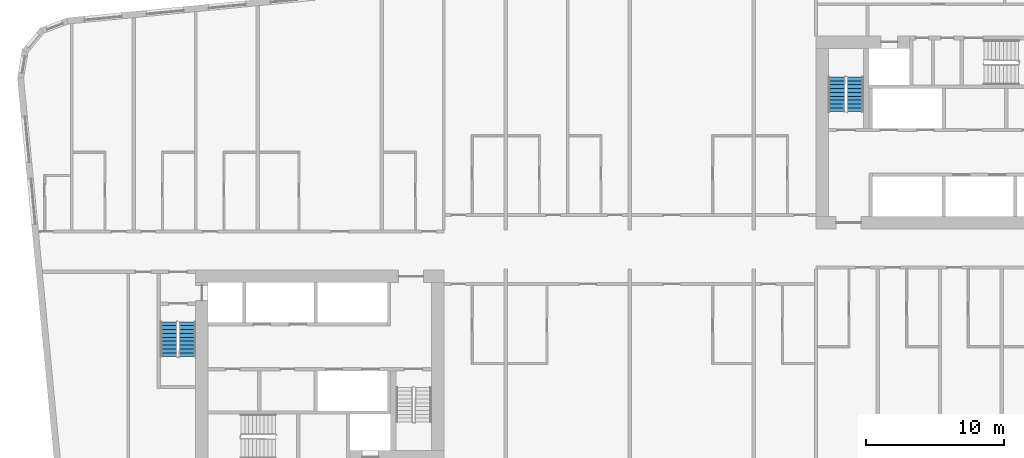
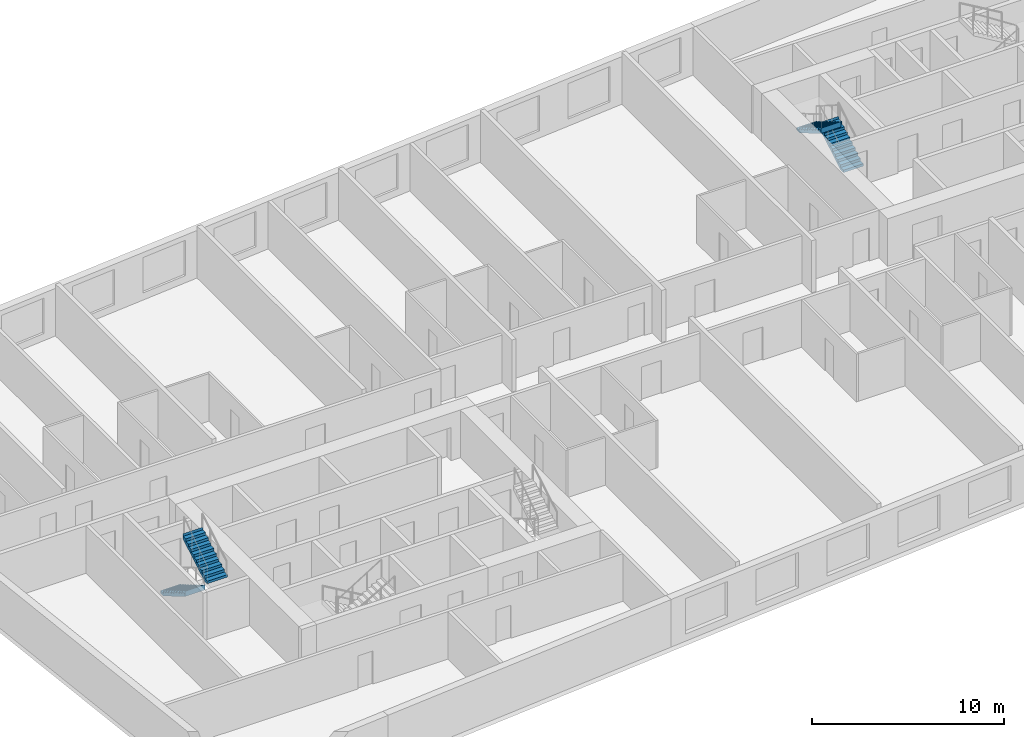
# One storey, part 10 of 12: 4 stair flights, 2 elements without a shape of their own.
"""IFC4 building model written with IfcOpenShell, lengths in metres."""

from ifc_helpers import new_model, si_unit, direction, frame, origin, place, context, subcontext, project, spatial, faceted_brep, material, type_object, element, aggregate, save


model = new_model("IFC4")

# Units and contexts
model_context = context("Model", 3, precision=1e-05, world=origin(), true_north=direction((0.0, 1.0)))
body_context = subcontext(model_context, "Body", "Model", "MODEL_VIEW")
ifc_project = project(units=[si_unit("LENGTHUNIT", "METRE"), si_unit("AREAUNIT", "SQUARE_METRE"), si_unit("VOLUMEUNIT", "CUBIC_METRE"), si_unit("PLANEANGLEUNIT", "RADIAN"), si_unit("MASSUNIT", "GRAM", prefix="KILO")], contexts=[model_context])

# Site, building, storey
site_placement = place(None, origin())
site = spatial("IfcSite", under=ifc_project, at=site_placement, CompositionType="ELEMENT")
building_placement = place(site_placement, origin())
building = spatial("IfcBuilding", under=site, at=building_placement, Name="Kajstack Hotel Tower", CompositionType="ELEMENT")
storey_placement = place(building_placement, frame((0.0, 0.0, 173.5)))
storey = spatial("IfcBuildingStorey", under=building, at=storey_placement, Name="L40", CompositionType="ELEMENT", Elevation=173.5)

# Stair, stair flights
ifc_material = material(Name="Concrete C40/50", Category="concrete")
stair_type = type_object("IfcStairType", Name="Exit stair 1200", PredefinedType="HALF_TURN_STAIR", material=ifc_material)
stair_1_placement = place(storey_placement, origin())
stair_1 = element("IfcStair", 1, at=stair_1_placement, inside=storey, type_object=stair_type, Name="L40 stair W1", PredefinedType="HALF_TURN_STAIR")
stair_flight_type = type_object("IfcStairFlightType", Name="Exit stair flight 1200", PredefinedType="STRAIGHT", material=ifc_material)
stair_flight_1_placement = place(storey_placement, frame((-33.449951171875, -5.25, 0.0), z_axis=(0.0, 0.0, 1.0), x_axis=(0.0, -1.0, 0.0)))
stair_flight_1 = element("IfcStairFlight", 2, at=stair_flight_1_placement, type_object=stair_flight_type, Name="W1 flight 1", NumberOfRisers=10, NumberOfTreads=9, PredefinedType="STRAIGHT", RiserHeight=0.165, TreadLength=0.28, context=body_context, shape_type="Brep", body=[
    faceted_brep([(0.295654296875, -0.60009765625, 0.0), (2.5205078125, -0.60009765625, 1.31103515625), (2.5205078125, -0.60009765625, 1.64990234375), (2.52001953125, -0.60009765625, 1.64990234375), (2.52001953125, -0.60009765625, 1.485107421875), (2.239990234375, -0.60009765625, 1.485107421875), (2.239990234375, -0.60009765625, 1.320068359375), (1.9599609375, -0.60009765625, 1.320068359375), (1.9599609375, -0.60009765625, 1.155029296875), (1.679931640625, -0.60009765625, 1.155029296875), (1.679931640625, -0.60009765625, 0.989990234375), (1.39990234375, -0.60009765625, 0.989990234375), (1.39990234375, -0.60009765625, 0.824951171875), (1.1201171875, -0.60009765625, 0.824951171875), (1.1201171875, -0.60009765625, 0.659912109375), (0.840087890625, -0.60009765625, 0.659912109375), (0.840087890625, -0.60009765625, 0.4951171875), (0.56005859375, -0.60009765625, 0.4951171875), (0.56005859375, -0.60009765625, 0.330078125), (0.280029296875, -0.60009765625, 0.330078125), (0.280029296875, -0.60009765625, 0.1650390625), (-0.00048828125, -0.60009765625, 0.1650390625), (-0.00048828125, -0.60009765625, 0.0), (-0.00048828125, 0.60009765625, 0.0), (-0.00048828125, 0.60009765625, 0.1650390625), (0.280029296875, 0.60009765625, 0.1650390625), (0.280029296875, 0.60009765625, 0.330078125), (0.56005859375, 0.60009765625, 0.330078125), (0.56005859375, 0.60009765625, 0.4951171875), (0.840087890625, 0.60009765625, 0.4951171875), (0.840087890625, 0.60009765625, 0.659912109375), (1.1201171875, 0.60009765625, 0.659912109375), (1.1201171875, 0.60009765625, 0.824951171875), (1.39990234375, 0.60009765625, 0.824951171875), (1.39990234375, 0.60009765625, 0.989990234375), (1.679931640625, 0.60009765625, 0.989990234375), (1.679931640625, 0.60009765625, 1.155029296875), (1.9599609375, 0.60009765625, 1.155029296875), (1.9599609375, 0.60009765625, 1.320068359375), (2.239990234375, 0.60009765625, 1.320068359375), (2.239990234375, 0.60009765625, 1.485107421875), (2.52001953125, 0.60009765625, 1.485107421875), (2.52001953125, 0.60009765625, 1.64990234375), (2.5205078125, 0.60009765625, 1.64990234375), (2.5205078125, 0.60009765625, 1.31103515625), (0.295654296875, 0.60009765625, 0.0), (-0.00048828125, -0.300048828125, 0.1650390625), (-0.00048828125, 0.0, 0.1650390625), (-0.00048828125, 0.300048828125, 0.1650390625), (-0.00048828125, 0.300048828125, 0.0), (-0.00048828125, 0.0, 0.0), (-0.00048828125, -0.300048828125, 0.0), (0.280029296875, -0.300048828125, 0.1650390625), (0.280029296875, 0.0, 0.1650390625), (0.280029296875, 0.300048828125, 0.1650390625), (0.280029296875, -0.300048828125, 0.330078125), (0.280029296875, 0.0, 0.330078125), (0.280029296875, 0.300048828125, 0.330078125), (0.56005859375, -0.300048828125, 0.330078125), (0.56005859375, 0.0, 0.330078125), (0.56005859375, 0.300048828125, 0.330078125), (0.56005859375, -0.300048828125, 0.4951171875), (0.56005859375, 0.0, 0.4951171875), (0.56005859375, 0.300048828125, 0.4951171875), (0.840087890625, -0.300048828125, 0.4951171875), (0.840087890625, 0.0, 0.4951171875), (0.840087890625, 0.300048828125, 0.4951171875), (0.840087890625, -0.300048828125, 0.659912109375), (0.840087890625, 0.0, 0.659912109375), (0.840087890625, 0.300048828125, 0.659912109375), (1.1201171875, -0.300048828125, 0.659912109375), (1.1201171875, 0.0, 0.659912109375), (1.1201171875, 0.300048828125, 0.659912109375), (1.1201171875, -0.300048828125, 0.824951171875), (1.1201171875, 0.0, 0.824951171875), (1.1201171875, 0.300048828125, 0.824951171875), (1.39990234375, -0.300048828125, 0.824951171875), (1.39990234375, 0.0, 0.824951171875), (1.39990234375, 0.300048828125, 0.824951171875), (1.39990234375, -0.300048828125, 0.989990234375), (1.39990234375, 0.0, 0.989990234375), (1.39990234375, 0.300048828125, 0.989990234375), (1.679931640625, -0.300048828125, 0.989990234375), (1.679931640625, 0.0, 0.989990234375), (1.679931640625, 0.300048828125, 0.989990234375), (1.679931640625, -0.300048828125, 1.155029296875), (1.679931640625, 0.0, 1.155029296875), (1.679931640625, 0.300048828125, 1.155029296875), (1.9599609375, -0.300048828125, 1.155029296875), (1.9599609375, 0.0, 1.155029296875), (1.9599609375, 0.300048828125, 1.155029296875), (1.9599609375, -0.300048828125, 1.320068359375), (1.9599609375, 0.0, 1.320068359375), (1.9599609375, 0.300048828125, 1.320068359375), (2.239990234375, -0.300048828125, 1.320068359375), (2.239990234375, 0.0, 1.320068359375), (2.239990234375, 0.300048828125, 1.320068359375), (2.239990234375, -0.300048828125, 1.485107421875), (2.239990234375, 0.0, 1.485107421875), (2.239990234375, 0.300048828125, 1.485107421875), (2.52001953125, -0.300048828125, 1.485107421875), (2.52001953125, 0.0, 1.485107421875), (2.52001953125, 0.300048828125, 1.485107421875), (2.52001953125, -0.300048828125, 1.64990234375), (2.52001953125, 0.0, 1.64990234375), (2.52001953125, 0.300048828125, 1.64990234375), (2.5205078125, -0.300048828125, 1.64990234375), (2.5205078125, 0.0, 1.64990234375), (2.5205078125, 0.300048828125, 1.64990234375), (2.5205078125, -0.300048828125, 1.31103515625), (2.5205078125, 0.0, 1.31103515625), (2.5205078125, 0.300048828125, 1.31103515625), (0.295654296875, -0.300048828125, 0.0), (0.295654296875, 0.0, 0.0), (0.295654296875, 0.300048828125, 0.0)], [[[0, 1, 2, 3, 4, 5, 6, 7, 8, 9, 10, 11, 12, 13, 14, 15, 16, 17, 18, 19, 20, 21, 22]], [[23, 24, 25, 26, 27, 28, 29, 30, 31, 32, 33, 34, 35, 36, 37, 38, 39, 40, 41, 42, 43, 44, 45]], [[21, 46, 47, 48, 24, 23, 49, 50, 51, 22]], [[20, 52, 53, 54, 25, 24, 48, 47, 46, 21]], [[19, 55, 56, 57, 26, 25, 54, 53, 52, 20]], [[18, 58, 59, 60, 27, 26, 57, 56, 55, 19]], [[17, 61, 62, 63, 28, 27, 60, 59, 58, 18]], [[16, 64, 65, 66, 29, 28, 63, 62, 61, 17]], [[15, 67, 68, 69, 30, 29, 66, 65, 64, 16]], [[14, 70, 71, 72, 31, 30, 69, 68, 67, 15]], [[13, 73, 74, 75, 32, 31, 72, 71, 70, 14]], [[12, 76, 77, 78, 33, 32, 75, 74, 73, 13]], [[11, 79, 80, 81, 34, 33, 78, 77, 76, 12]], [[10, 82, 83, 84, 35, 34, 81, 80, 79, 11]], [[9, 85, 86, 87, 36, 35, 84, 83, 82, 10]], [[8, 88, 89, 90, 37, 36, 87, 86, 85, 9]], [[7, 91, 92, 93, 38, 37, 90, 89, 88, 8]], [[6, 94, 95, 96, 39, 38, 93, 92, 91, 7]], [[5, 97, 98, 99, 40, 39, 96, 95, 94, 6]], [[4, 100, 101, 102, 41, 40, 99, 98, 97, 5]], [[3, 103, 104, 105, 42, 41, 102, 101, 100, 4]], [[2, 106, 107, 108, 43, 42, 105, 104, 103, 3]], [[1, 109, 110, 111, 44, 43, 108, 107, 106, 2]], [[0, 112, 113, 114, 45, 44, 111, 110, 109, 1]], [[22, 51, 50, 49, 23, 45, 114, 113, 112, 0]]]),
])
stair_flight_2_placement = place(storey_placement, frame((-32.10009765625, -7.77001953125, 1.64990234375), z_axis=(0.0, 0.0, 1.0), x_axis=(0.0, 1.0, 0.0)))
stair_flight_2 = element("IfcStairFlight", 3, at=stair_flight_2_placement, type_object=stair_flight_type, Name="W1 flight 2", NumberOfRisers=10, NumberOfTreads=9, PredefinedType="STRAIGHT", RiserHeight=0.165, TreadLength=0.28, context=body_context, shape_type="Brep", body=[
    faceted_brep([(0.295654296875, -0.60009765625, 0.0), (2.5205078125, -0.60009765625, 1.31103515625), (2.5205078125, -0.60009765625, 1.64990234375), (2.52001953125, -0.60009765625, 1.64990234375), (2.52001953125, -0.60009765625, 1.485107421875), (2.239990234375, -0.60009765625, 1.485107421875), (2.239990234375, -0.60009765625, 1.320068359375), (1.9599609375, -0.60009765625, 1.320068359375), (1.9599609375, -0.60009765625, 1.155029296875), (1.679931640625, -0.60009765625, 1.155029296875), (1.679931640625, -0.60009765625, 0.989990234375), (1.39990234375, -0.60009765625, 0.989990234375), (1.39990234375, -0.60009765625, 0.824951171875), (1.1201171875, -0.60009765625, 0.824951171875), (1.1201171875, -0.60009765625, 0.659912109375), (0.840087890625, -0.60009765625, 0.659912109375), (0.840087890625, -0.60009765625, 0.4951171875), (0.56005859375, -0.60009765625, 0.4951171875), (0.56005859375, -0.60009765625, 0.330078125), (0.280029296875, -0.60009765625, 0.330078125), (0.280029296875, -0.60009765625, 0.1650390625), (-0.00048828125, -0.60009765625, 0.1650390625), (-0.00048828125, -0.60009765625, 0.0), (-0.00048828125, 0.60009765625, 0.0), (-0.00048828125, 0.60009765625, 0.1650390625), (0.280029296875, 0.60009765625, 0.1650390625), (0.280029296875, 0.60009765625, 0.330078125), (0.56005859375, 0.60009765625, 0.330078125), (0.56005859375, 0.60009765625, 0.4951171875), (0.840087890625, 0.60009765625, 0.4951171875), (0.840087890625, 0.60009765625, 0.659912109375), (1.1201171875, 0.60009765625, 0.659912109375), (1.1201171875, 0.60009765625, 0.824951171875), (1.39990234375, 0.60009765625, 0.824951171875), (1.39990234375, 0.60009765625, 0.989990234375), (1.679931640625, 0.60009765625, 0.989990234375), (1.679931640625, 0.60009765625, 1.155029296875), (1.9599609375, 0.60009765625, 1.155029296875), (1.9599609375, 0.60009765625, 1.320068359375), (2.239990234375, 0.60009765625, 1.320068359375), (2.239990234375, 0.60009765625, 1.485107421875), (2.52001953125, 0.60009765625, 1.485107421875), (2.52001953125, 0.60009765625, 1.64990234375), (2.5205078125, 0.60009765625, 1.64990234375), (2.5205078125, 0.60009765625, 1.31103515625), (0.295654296875, 0.60009765625, 0.0), (-0.00048828125, -0.300048828125, 0.1650390625), (-0.00048828125, 0.0, 0.1650390625), (-0.00048828125, 0.300048828125, 0.1650390625), (-0.00048828125, 0.300048828125, 0.0), (-0.00048828125, 0.0, 0.0), (-0.00048828125, -0.300048828125, 0.0), (0.280029296875, -0.300048828125, 0.1650390625), (0.280029296875, 0.0, 0.1650390625), (0.280029296875, 0.300048828125, 0.1650390625), (0.280029296875, -0.300048828125, 0.330078125), (0.280029296875, 0.0, 0.330078125), (0.280029296875, 0.300048828125, 0.330078125), (0.56005859375, -0.300048828125, 0.330078125), (0.56005859375, 0.0, 0.330078125), (0.56005859375, 0.300048828125, 0.330078125), (0.56005859375, -0.300048828125, 0.4951171875), (0.56005859375, 0.0, 0.4951171875), (0.56005859375, 0.300048828125, 0.4951171875), (0.840087890625, -0.300048828125, 0.4951171875), (0.840087890625, 0.0, 0.4951171875), (0.840087890625, 0.300048828125, 0.4951171875), (0.840087890625, -0.300048828125, 0.659912109375), (0.840087890625, 0.0, 0.659912109375), (0.840087890625, 0.300048828125, 0.659912109375), (1.1201171875, -0.300048828125, 0.659912109375), (1.1201171875, 0.0, 0.659912109375), (1.1201171875, 0.300048828125, 0.659912109375), (1.1201171875, -0.300048828125, 0.824951171875), (1.1201171875, 0.0, 0.824951171875), (1.1201171875, 0.300048828125, 0.824951171875), (1.39990234375, -0.300048828125, 0.824951171875), (1.39990234375, 0.0, 0.824951171875), (1.39990234375, 0.300048828125, 0.824951171875), (1.39990234375, -0.300048828125, 0.989990234375), (1.39990234375, 0.0, 0.989990234375), (1.39990234375, 0.300048828125, 0.989990234375), (1.679931640625, -0.300048828125, 0.989990234375), (1.679931640625, 0.0, 0.989990234375), (1.679931640625, 0.300048828125, 0.989990234375), (1.679931640625, -0.300048828125, 1.155029296875), (1.679931640625, 0.0, 1.155029296875), (1.679931640625, 0.300048828125, 1.155029296875), (1.9599609375, -0.300048828125, 1.155029296875), (1.9599609375, 0.0, 1.155029296875), (1.9599609375, 0.300048828125, 1.155029296875), (1.9599609375, -0.300048828125, 1.320068359375), (1.9599609375, 0.0, 1.320068359375), (1.9599609375, 0.300048828125, 1.320068359375), (2.239990234375, -0.300048828125, 1.320068359375), (2.239990234375, 0.0, 1.320068359375), (2.239990234375, 0.300048828125, 1.320068359375), (2.239990234375, -0.300048828125, 1.485107421875), (2.239990234375, 0.0, 1.485107421875), (2.239990234375, 0.300048828125, 1.485107421875), (2.52001953125, -0.300048828125, 1.485107421875), (2.52001953125, 0.0, 1.485107421875), (2.52001953125, 0.300048828125, 1.485107421875), (2.52001953125, -0.300048828125, 1.64990234375), (2.52001953125, 0.0, 1.64990234375), (2.52001953125, 0.300048828125, 1.64990234375), (2.5205078125, -0.300048828125, 1.64990234375), (2.5205078125, 0.0, 1.64990234375), (2.5205078125, 0.300048828125, 1.64990234375), (2.5205078125, -0.300048828125, 1.31103515625), (2.5205078125, 0.0, 1.31103515625), (2.5205078125, 0.300048828125, 1.31103515625), (0.295654296875, -0.300048828125, 0.0), (0.295654296875, 0.0, 0.0), (0.295654296875, 0.300048828125, 0.0)], [[[0, 1, 2, 3, 4, 5, 6, 7, 8, 9, 10, 11, 12, 13, 14, 15, 16, 17, 18, 19, 20, 21, 22]], [[23, 24, 25, 26, 27, 28, 29, 30, 31, 32, 33, 34, 35, 36, 37, 38, 39, 40, 41, 42, 43, 44, 45]], [[21, 46, 47, 48, 24, 23, 49, 50, 51, 22]], [[20, 52, 53, 54, 25, 24, 48, 47, 46, 21]], [[19, 55, 56, 57, 26, 25, 54, 53, 52, 20]], [[18, 58, 59, 60, 27, 26, 57, 56, 55, 19]], [[17, 61, 62, 63, 28, 27, 60, 59, 58, 18]], [[16, 64, 65, 66, 29, 28, 63, 62, 61, 17]], [[15, 67, 68, 69, 30, 29, 66, 65, 64, 16]], [[14, 70, 71, 72, 31, 30, 69, 68, 67, 15]], [[13, 73, 74, 75, 32, 31, 72, 71, 70, 14]], [[12, 76, 77, 78, 33, 32, 75, 74, 73, 13]], [[11, 79, 80, 81, 34, 33, 78, 77, 76, 12]], [[10, 82, 83, 84, 35, 34, 81, 80, 79, 11]], [[9, 85, 86, 87, 36, 35, 84, 83, 82, 10]], [[8, 88, 89, 90, 37, 36, 87, 86, 85, 9]], [[7, 91, 92, 93, 38, 37, 90, 89, 88, 8]], [[6, 94, 95, 96, 39, 38, 93, 92, 91, 7]], [[5, 97, 98, 99, 40, 39, 96, 95, 94, 6]], [[4, 100, 101, 102, 41, 40, 99, 98, 97, 5]], [[3, 103, 104, 105, 42, 41, 102, 101, 100, 4]], [[2, 106, 107, 108, 43, 42, 105, 104, 103, 3]], [[1, 109, 110, 111, 44, 43, 108, 107, 106, 2]], [[0, 112, 113, 114, 45, 44, 111, 110, 109, 1]], [[22, 51, 50, 49, 23, 45, 114, 113, 112, 0]]]),
])
aggregate(stair_1, [stair_flight_1, stair_flight_2])

stair_2_placement = place(storey_placement, origin())
stair_2 = element("IfcStair", 4, at=stair_2_placement, inside=storey, type_object=stair_type, Name="L40 stair E2", PredefinedType="HALF_TURN_STAIR")
stair_flight_3_placement = place(storey_placement, frame((16.35009765625, 10.0, 0.0), z_axis=(0.0, 0.0, 1.0), x_axis=(0.0, 1.0, 0.0)))
stair_flight_3 = element("IfcStairFlight", 5, at=stair_flight_3_placement, type_object=stair_flight_type, Name="E2 flight 1", NumberOfRisers=10, NumberOfTreads=9, PredefinedType="STRAIGHT", RiserHeight=0.165, TreadLength=0.28, context=body_context, shape_type="Brep", body=[
    faceted_brep([(0.295654296875, -0.60009765625, 0.0), (2.5205078125, -0.60009765625, 1.31103515625), (2.5205078125, -0.60009765625, 1.64990234375), (2.52001953125, -0.60009765625, 1.64990234375), (2.52001953125, -0.60009765625, 1.485107421875), (2.239990234375, -0.60009765625, 1.485107421875), (2.239990234375, -0.60009765625, 1.320068359375), (1.9599609375, -0.60009765625, 1.320068359375), (1.9599609375, -0.60009765625, 1.155029296875), (1.679931640625, -0.60009765625, 1.155029296875), (1.679931640625, -0.60009765625, 0.989990234375), (1.39990234375, -0.60009765625, 0.989990234375), (1.39990234375, -0.60009765625, 0.824951171875), (1.1201171875, -0.60009765625, 0.824951171875), (1.1201171875, -0.60009765625, 0.659912109375), (0.840087890625, -0.60009765625, 0.659912109375), (0.840087890625, -0.60009765625, 0.4951171875), (0.56005859375, -0.60009765625, 0.4951171875), (0.56005859375, -0.60009765625, 0.330078125), (0.280029296875, -0.60009765625, 0.330078125), (0.280029296875, -0.60009765625, 0.1650390625), (-0.00048828125, -0.60009765625, 0.1650390625), (-0.00048828125, -0.60009765625, 0.0), (-0.00048828125, 0.60009765625, 0.0), (-0.00048828125, 0.60009765625, 0.1650390625), (0.280029296875, 0.60009765625, 0.1650390625), (0.280029296875, 0.60009765625, 0.330078125), (0.56005859375, 0.60009765625, 0.330078125), (0.56005859375, 0.60009765625, 0.4951171875), (0.840087890625, 0.60009765625, 0.4951171875), (0.840087890625, 0.60009765625, 0.659912109375), (1.1201171875, 0.60009765625, 0.659912109375), (1.1201171875, 0.60009765625, 0.824951171875), (1.39990234375, 0.60009765625, 0.824951171875), (1.39990234375, 0.60009765625, 0.989990234375), (1.679931640625, 0.60009765625, 0.989990234375), (1.679931640625, 0.60009765625, 1.155029296875), (1.9599609375, 0.60009765625, 1.155029296875), (1.9599609375, 0.60009765625, 1.320068359375), (2.239990234375, 0.60009765625, 1.320068359375), (2.239990234375, 0.60009765625, 1.485107421875), (2.52001953125, 0.60009765625, 1.485107421875), (2.52001953125, 0.60009765625, 1.64990234375), (2.5205078125, 0.60009765625, 1.64990234375), (2.5205078125, 0.60009765625, 1.31103515625), (0.295654296875, 0.60009765625, 0.0), (-0.00048828125, -0.300048828125, 0.1650390625), (-0.00048828125, 0.0, 0.1650390625), (-0.00048828125, 0.300048828125, 0.1650390625), (-0.00048828125, 0.300048828125, 0.0), (-0.00048828125, 0.0, 0.0), (-0.00048828125, -0.300048828125, 0.0), (0.280029296875, -0.300048828125, 0.1650390625), (0.280029296875, 0.0, 0.1650390625), (0.280029296875, 0.300048828125, 0.1650390625), (0.280029296875, -0.300048828125, 0.330078125), (0.280029296875, 0.0, 0.330078125), (0.280029296875, 0.300048828125, 0.330078125), (0.56005859375, -0.300048828125, 0.330078125), (0.56005859375, 0.0, 0.330078125), (0.56005859375, 0.300048828125, 0.330078125), (0.56005859375, -0.300048828125, 0.4951171875), (0.56005859375, 0.0, 0.4951171875), (0.56005859375, 0.300048828125, 0.4951171875), (0.840087890625, -0.300048828125, 0.4951171875), (0.840087890625, 0.0, 0.4951171875), (0.840087890625, 0.300048828125, 0.4951171875), (0.840087890625, -0.300048828125, 0.659912109375), (0.840087890625, 0.0, 0.659912109375), (0.840087890625, 0.300048828125, 0.659912109375), (1.1201171875, -0.300048828125, 0.659912109375), (1.1201171875, 0.0, 0.659912109375), (1.1201171875, 0.300048828125, 0.659912109375), (1.1201171875, -0.300048828125, 0.824951171875), (1.1201171875, 0.0, 0.824951171875), (1.1201171875, 0.300048828125, 0.824951171875), (1.39990234375, -0.300048828125, 0.824951171875), (1.39990234375, 0.0, 0.824951171875), (1.39990234375, 0.300048828125, 0.824951171875), (1.39990234375, -0.300048828125, 0.989990234375), (1.39990234375, 0.0, 0.989990234375), (1.39990234375, 0.300048828125, 0.989990234375), (1.679931640625, -0.300048828125, 0.989990234375), (1.679931640625, 0.0, 0.989990234375), (1.679931640625, 0.300048828125, 0.989990234375), (1.679931640625, -0.300048828125, 1.155029296875), (1.679931640625, 0.0, 1.155029296875), (1.679931640625, 0.300048828125, 1.155029296875), (1.9599609375, -0.300048828125, 1.155029296875), (1.9599609375, 0.0, 1.155029296875), (1.9599609375, 0.300048828125, 1.155029296875), (1.9599609375, -0.300048828125, 1.320068359375), (1.9599609375, 0.0, 1.320068359375), (1.9599609375, 0.300048828125, 1.320068359375), (2.239990234375, -0.300048828125, 1.320068359375), (2.239990234375, 0.0, 1.320068359375), (2.239990234375, 0.300048828125, 1.320068359375), (2.239990234375, -0.300048828125, 1.485107421875), (2.239990234375, 0.0, 1.485107421875), (2.239990234375, 0.300048828125, 1.485107421875), (2.52001953125, -0.300048828125, 1.485107421875), (2.52001953125, 0.0, 1.485107421875), (2.52001953125, 0.300048828125, 1.485107421875), (2.52001953125, -0.300048828125, 1.64990234375), (2.52001953125, 0.0, 1.64990234375), (2.52001953125, 0.300048828125, 1.64990234375), (2.5205078125, -0.300048828125, 1.64990234375), (2.5205078125, 0.0, 1.64990234375), (2.5205078125, 0.300048828125, 1.64990234375), (2.5205078125, -0.300048828125, 1.31103515625), (2.5205078125, 0.0, 1.31103515625), (2.5205078125, 0.300048828125, 1.31103515625), (0.295654296875, -0.300048828125, 0.0), (0.295654296875, 0.0, 0.0), (0.295654296875, 0.300048828125, 0.0)], [[[0, 1, 2, 3, 4, 5, 6, 7, 8, 9, 10, 11, 12, 13, 14, 15, 16, 17, 18, 19, 20, 21, 22]], [[23, 24, 25, 26, 27, 28, 29, 30, 31, 32, 33, 34, 35, 36, 37, 38, 39, 40, 41, 42, 43, 44, 45]], [[21, 46, 47, 48, 24, 23, 49, 50, 51, 22]], [[20, 52, 53, 54, 25, 24, 48, 47, 46, 21]], [[19, 55, 56, 57, 26, 25, 54, 53, 52, 20]], [[18, 58, 59, 60, 27, 26, 57, 56, 55, 19]], [[17, 61, 62, 63, 28, 27, 60, 59, 58, 18]], [[16, 64, 65, 66, 29, 28, 63, 62, 61, 17]], [[15, 67, 68, 69, 30, 29, 66, 65, 64, 16]], [[14, 70, 71, 72, 31, 30, 69, 68, 67, 15]], [[13, 73, 74, 75, 32, 31, 72, 71, 70, 14]], [[12, 76, 77, 78, 33, 32, 75, 74, 73, 13]], [[11, 79, 80, 81, 34, 33, 78, 77, 76, 12]], [[10, 82, 83, 84, 35, 34, 81, 80, 79, 11]], [[9, 85, 86, 87, 36, 35, 84, 83, 82, 10]], [[8, 88, 89, 90, 37, 36, 87, 86, 85, 9]], [[7, 91, 92, 93, 38, 37, 90, 89, 88, 8]], [[6, 94, 95, 96, 39, 38, 93, 92, 91, 7]], [[5, 97, 98, 99, 40, 39, 96, 95, 94, 6]], [[4, 100, 101, 102, 41, 40, 99, 98, 97, 5]], [[3, 103, 104, 105, 42, 41, 102, 101, 100, 4]], [[2, 106, 107, 108, 43, 42, 105, 104, 103, 3]], [[1, 109, 110, 111, 44, 43, 108, 107, 106, 2]], [[0, 112, 113, 114, 45, 44, 111, 110, 109, 1]], [[22, 51, 50, 49, 23, 45, 114, 113, 112, 0]]]),
])
stair_flight_4_placement = place(storey_placement, frame((15.0, 12.52001953125, 1.64990234375), z_axis=(0.0, 0.0, 1.0), x_axis=(0.0, -1.0, 0.0)))
stair_flight_4 = element("IfcStairFlight", 6, at=stair_flight_4_placement, type_object=stair_flight_type, Name="E2 flight 2", NumberOfRisers=10, NumberOfTreads=9, PredefinedType="STRAIGHT", RiserHeight=0.165, TreadLength=0.28, context=body_context, shape_type="Brep", body=[
    faceted_brep([(0.295654296875, -0.60009765625, 0.0), (2.5205078125, -0.60009765625, 1.31103515625), (2.5205078125, -0.60009765625, 1.64990234375), (2.52001953125, -0.60009765625, 1.64990234375), (2.52001953125, -0.60009765625, 1.485107421875), (2.239990234375, -0.60009765625, 1.485107421875), (2.239990234375, -0.60009765625, 1.320068359375), (1.9599609375, -0.60009765625, 1.320068359375), (1.9599609375, -0.60009765625, 1.155029296875), (1.679931640625, -0.60009765625, 1.155029296875), (1.679931640625, -0.60009765625, 0.989990234375), (1.39990234375, -0.60009765625, 0.989990234375), (1.39990234375, -0.60009765625, 0.824951171875), (1.1201171875, -0.60009765625, 0.824951171875), (1.1201171875, -0.60009765625, 0.659912109375), (0.840087890625, -0.60009765625, 0.659912109375), (0.840087890625, -0.60009765625, 0.4951171875), (0.56005859375, -0.60009765625, 0.4951171875), (0.56005859375, -0.60009765625, 0.330078125), (0.280029296875, -0.60009765625, 0.330078125), (0.280029296875, -0.60009765625, 0.1650390625), (-0.00048828125, -0.60009765625, 0.1650390625), (-0.00048828125, -0.60009765625, 0.0), (-0.00048828125, 0.60009765625, 0.0), (-0.00048828125, 0.60009765625, 0.1650390625), (0.280029296875, 0.60009765625, 0.1650390625), (0.280029296875, 0.60009765625, 0.330078125), (0.56005859375, 0.60009765625, 0.330078125), (0.56005859375, 0.60009765625, 0.4951171875), (0.840087890625, 0.60009765625, 0.4951171875), (0.840087890625, 0.60009765625, 0.659912109375), (1.1201171875, 0.60009765625, 0.659912109375), (1.1201171875, 0.60009765625, 0.824951171875), (1.39990234375, 0.60009765625, 0.824951171875), (1.39990234375, 0.60009765625, 0.989990234375), (1.679931640625, 0.60009765625, 0.989990234375), (1.679931640625, 0.60009765625, 1.155029296875), (1.9599609375, 0.60009765625, 1.155029296875), (1.9599609375, 0.60009765625, 1.320068359375), (2.239990234375, 0.60009765625, 1.320068359375), (2.239990234375, 0.60009765625, 1.485107421875), (2.52001953125, 0.60009765625, 1.485107421875), (2.52001953125, 0.60009765625, 1.64990234375), (2.5205078125, 0.60009765625, 1.64990234375), (2.5205078125, 0.60009765625, 1.31103515625), (0.295654296875, 0.60009765625, 0.0), (-0.00048828125, -0.300048828125, 0.1650390625), (-0.00048828125, 0.0, 0.1650390625), (-0.00048828125, 0.300048828125, 0.1650390625), (-0.00048828125, 0.300048828125, 0.0), (-0.00048828125, 0.0, 0.0), (-0.00048828125, -0.300048828125, 0.0), (0.280029296875, -0.300048828125, 0.1650390625), (0.280029296875, 0.0, 0.1650390625), (0.280029296875, 0.300048828125, 0.1650390625), (0.280029296875, -0.300048828125, 0.330078125), (0.280029296875, 0.0, 0.330078125), (0.280029296875, 0.300048828125, 0.330078125), (0.56005859375, -0.300048828125, 0.330078125), (0.56005859375, 0.0, 0.330078125), (0.56005859375, 0.300048828125, 0.330078125), (0.56005859375, -0.300048828125, 0.4951171875), (0.56005859375, 0.0, 0.4951171875), (0.56005859375, 0.300048828125, 0.4951171875), (0.840087890625, -0.300048828125, 0.4951171875), (0.840087890625, 0.0, 0.4951171875), (0.840087890625, 0.300048828125, 0.4951171875), (0.840087890625, -0.300048828125, 0.659912109375), (0.840087890625, 0.0, 0.659912109375), (0.840087890625, 0.300048828125, 0.659912109375), (1.1201171875, -0.300048828125, 0.659912109375), (1.1201171875, 0.0, 0.659912109375), (1.1201171875, 0.300048828125, 0.659912109375), (1.1201171875, -0.300048828125, 0.824951171875), (1.1201171875, 0.0, 0.824951171875), (1.1201171875, 0.300048828125, 0.824951171875), (1.39990234375, -0.300048828125, 0.824951171875), (1.39990234375, 0.0, 0.824951171875), (1.39990234375, 0.300048828125, 0.824951171875), (1.39990234375, -0.300048828125, 0.989990234375), (1.39990234375, 0.0, 0.989990234375), (1.39990234375, 0.300048828125, 0.989990234375), (1.679931640625, -0.300048828125, 0.989990234375), (1.679931640625, 0.0, 0.989990234375), (1.679931640625, 0.300048828125, 0.989990234375), (1.679931640625, -0.300048828125, 1.155029296875), (1.679931640625, 0.0, 1.155029296875), (1.679931640625, 0.300048828125, 1.155029296875), (1.9599609375, -0.300048828125, 1.155029296875), (1.9599609375, 0.0, 1.155029296875), (1.9599609375, 0.300048828125, 1.155029296875), (1.9599609375, -0.300048828125, 1.320068359375), (1.9599609375, 0.0, 1.320068359375), (1.9599609375, 0.300048828125, 1.320068359375), (2.239990234375, -0.300048828125, 1.320068359375), (2.239990234375, 0.0, 1.320068359375), (2.239990234375, 0.300048828125, 1.320068359375), (2.239990234375, -0.300048828125, 1.485107421875), (2.239990234375, 0.0, 1.485107421875), (2.239990234375, 0.300048828125, 1.485107421875), (2.52001953125, -0.300048828125, 1.485107421875), (2.52001953125, 0.0, 1.485107421875), (2.52001953125, 0.300048828125, 1.485107421875), (2.52001953125, -0.300048828125, 1.64990234375), (2.52001953125, 0.0, 1.64990234375), (2.52001953125, 0.300048828125, 1.64990234375), (2.5205078125, -0.300048828125, 1.64990234375), (2.5205078125, 0.0, 1.64990234375), (2.5205078125, 0.300048828125, 1.64990234375), (2.5205078125, -0.300048828125, 1.31103515625), (2.5205078125, 0.0, 1.31103515625), (2.5205078125, 0.300048828125, 1.31103515625), (0.295654296875, -0.300048828125, 0.0), (0.295654296875, 0.0, 0.0), (0.295654296875, 0.300048828125, 0.0)], [[[0, 1, 2, 3, 4, 5, 6, 7, 8, 9, 10, 11, 12, 13, 14, 15, 16, 17, 18, 19, 20, 21, 22]], [[23, 24, 25, 26, 27, 28, 29, 30, 31, 32, 33, 34, 35, 36, 37, 38, 39, 40, 41, 42, 43, 44, 45]], [[21, 46, 47, 48, 24, 23, 49, 50, 51, 22]], [[20, 52, 53, 54, 25, 24, 48, 47, 46, 21]], [[19, 55, 56, 57, 26, 25, 54, 53, 52, 20]], [[18, 58, 59, 60, 27, 26, 57, 56, 55, 19]], [[17, 61, 62, 63, 28, 27, 60, 59, 58, 18]], [[16, 64, 65, 66, 29, 28, 63, 62, 61, 17]], [[15, 67, 68, 69, 30, 29, 66, 65, 64, 16]], [[14, 70, 71, 72, 31, 30, 69, 68, 67, 15]], [[13, 73, 74, 75, 32, 31, 72, 71, 70, 14]], [[12, 76, 77, 78, 33, 32, 75, 74, 73, 13]], [[11, 79, 80, 81, 34, 33, 78, 77, 76, 12]], [[10, 82, 83, 84, 35, 34, 81, 80, 79, 11]], [[9, 85, 86, 87, 36, 35, 84, 83, 82, 10]], [[8, 88, 89, 90, 37, 36, 87, 86, 85, 9]], [[7, 91, 92, 93, 38, 37, 90, 89, 88, 8]], [[6, 94, 95, 96, 39, 38, 93, 92, 91, 7]], [[5, 97, 98, 99, 40, 39, 96, 95, 94, 6]], [[4, 100, 101, 102, 41, 40, 99, 98, 97, 5]], [[3, 103, 104, 105, 42, 41, 102, 101, 100, 4]], [[2, 106, 107, 108, 43, 42, 105, 104, 103, 3]], [[1, 109, 110, 111, 44, 43, 108, 107, 106, 2]], [[0, 112, 113, 114, 45, 44, 111, 110, 109, 1]], [[22, 51, 50, 49, 23, 45, 114, 113, 112, 0]]]),
])
aggregate(stair_2, [stair_flight_3, stair_flight_4])

save(model, "model.ifc")
